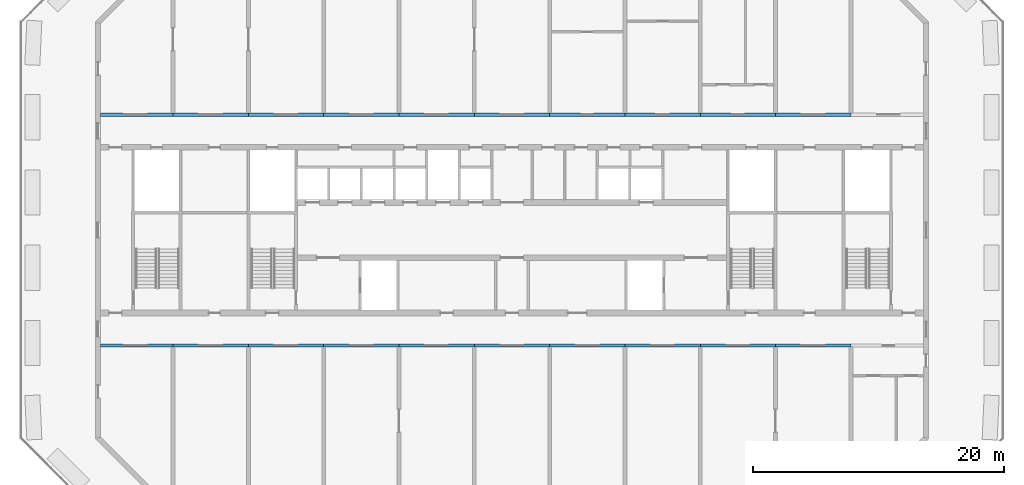
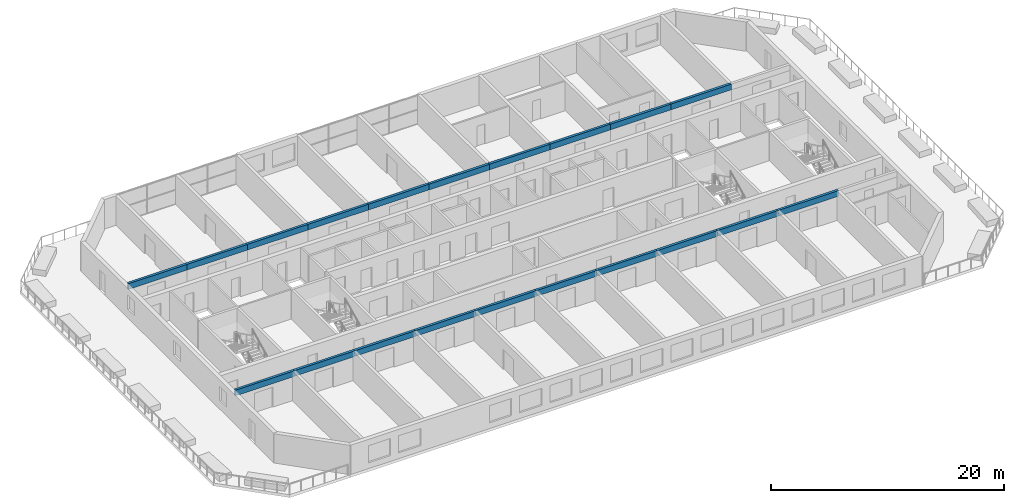
# One storey, part 1 of 14: 20 beams.
"""IFC4 building model written with IfcOpenShell, lengths in metres."""

from ifc_helpers import new_model, si_unit, direction, frame, origin, origin_2d, place, context, subcontext, project, spatial, rectangle, extrude, source, transform, mapped, material, material_profile, profile_set, type_object, element, save


model = new_model("IFC4")

# Units and contexts
model_context = context("Model", 3, precision=1e-05, world=origin(), true_north=direction((0.0, 1.0)))
body_context = subcontext(model_context, "Body", "Model", "MODEL_VIEW")
ifc_project = project(units=[si_unit("LENGTHUNIT", "METRE"), si_unit("AREAUNIT", "SQUARE_METRE"), si_unit("VOLUMEUNIT", "CUBIC_METRE"), si_unit("PLANEANGLEUNIT", "RADIAN"), si_unit("MASSUNIT", "GRAM", prefix="KILO")], contexts=[model_context])

# Site, building, storey
site_placement = place(None, origin())
site = spatial("IfcSite", under=ifc_project, at=site_placement, CompositionType="ELEMENT")
building_placement = place(site_placement, origin())
building = spatial("IfcBuilding", under=site, at=building_placement, Name="Poui Terraces", CompositionType="ELEMENT")
storey_placement = place(building_placement, frame((0.0, 0.0, 158.699951171875)))
storey = spatial("IfcBuildingStorey", under=building, at=storey_placement, Name="L44", CompositionType="ELEMENT", Elevation=158.699951171875)

# Beams
ifc_material = material(Name="Concrete 65 MPa", Category="concrete")
ifc_material_profile = material_profile(ifc_material, rectangle(XDim=0.25, YDim=0.60009765625, at=origin_2d()), Name="RC 250x600")
ifc_profile_set = profile_set([ifc_material_profile], Name="Concrete 65 MPa")
beam_type = type_object("IfcBeamType", Name="COUPLING BEAM 250x600 65MPa", PredefinedType="BEAM", material=ifc_profile_set)
shared_shape_1 = source(origin(), body_context, "Body", "SweptSolid", [
    extrude(rectangle(XDim=0.25, YDim=0.60009765625, at=origin_2d()), origin(), (0.0, 0.0, 1.0), 5.800048828125),
])
for number, where, z_axis, x_axis, name in (
    (1, (18.199951171875, 12.0, 2.77001953125), (1.0, 0.0, 0.0), (0.0, 1.0, 0.0), "COUPLING BEAM LINE B BAY 1"),
    (2, (18.199951171875, 30.39990234375, 2.77001953125), (1.0, 0.0, 0.0), (0.0, 1.0, 0.0), "COUPLING BEAM LINE E BAY 1"),
):
    element("IfcBeam", number, at=place(storey_placement, frame(where, z_axis=z_axis, x_axis=x_axis)), inside=storey, type_object=beam_type, Name=name, PredefinedType="BEAM", context=body_context, shape_type="MappedRepresentation", body=[
        mapped(shared_shape_1, transform((0.0, 0.0, 0.0))),
    ])
shared_shape_2 = source(origin(), body_context, "Body", "SweptSolid", [
    extrude(rectangle(XDim=0.25, YDim=0.60009765625, at=origin_2d()), origin(), (0.0, 0.0, 1.0), 6.0),
])
for number, where, z_axis, x_axis, name in (
    (3, (24.0, 12.0, 2.77001953125), (1.0, 0.0, 0.0), (0.0, 1.0, 0.0), "COUPLING BEAM LINE B BAY 2"),
    (4, (30.0, 12.0, 2.77001953125), (1.0, 0.0, 0.0), (0.0, 1.0, 0.0), "COUPLING BEAM LINE B BAY 3"),
    (5, (36.0, 12.0, 2.77001953125), (1.0, 0.0, 0.0), (0.0, 1.0, 0.0), "COUPLING BEAM LINE B BAY 4"),
    (6, (42.0, 12.0, 2.77001953125), (1.0, 0.0, 0.0), (0.0, 1.0, 0.0), "COUPLING BEAM LINE B BAY 5"),
    (7, (48.0, 12.0, 2.77001953125), (1.0, 0.0, 0.0), (0.0, 1.0, 0.0), "COUPLING BEAM LINE B BAY 6"),
    (8, (54.0, 12.0, 2.77001953125), (1.0, 0.0, 0.0), (0.0, 1.0, 0.0), "COUPLING BEAM LINE B BAY 7"),
    (9, (60.0, 12.0, 2.77001953125), (1.0, 0.0, 0.0), (0.0, 1.0, 0.0), "COUPLING BEAM LINE B BAY 8"),
    (10, (66.0, 12.0, 2.77001953125), (1.0, 0.0, 0.0), (0.0, 1.0, 0.0), "COUPLING BEAM LINE B BAY 9"),
    (11, (72.0, 12.0, 2.77001953125), (1.0, 0.0, 0.0), (0.0, 1.0, 0.0), "COUPLING BEAM LINE B BAY 10"),
    (12, (24.0, 30.39990234375, 2.77001953125), (1.0, 0.0, 0.0), (0.0, 1.0, 0.0), "COUPLING BEAM LINE E BAY 2"),
    (13, (30.0, 30.39990234375, 2.77001953125), (1.0, 0.0, 0.0), (0.0, 1.0, 0.0), "COUPLING BEAM LINE E BAY 3"),
    (14, (36.0, 30.39990234375, 2.77001953125), (1.0, 0.0, 0.0), (0.0, 1.0, 0.0), "COUPLING BEAM LINE E BAY 4"),
    (15, (42.0, 30.39990234375, 2.77001953125), (1.0, 0.0, 0.0), (0.0, 1.0, 0.0), "COUPLING BEAM LINE E BAY 5"),
    (16, (48.0, 30.39990234375, 2.77001953125), (1.0, 0.0, 0.0), (0.0, 1.0, 0.0), "COUPLING BEAM LINE E BAY 6"),
    (17, (54.0, 30.39990234375, 2.77001953125), (1.0, 0.0, 0.0), (0.0, 1.0, 0.0), "COUPLING BEAM LINE E BAY 7"),
    (18, (60.0, 30.39990234375, 2.77001953125), (1.0, 0.0, 0.0), (0.0, 1.0, 0.0), "COUPLING BEAM LINE E BAY 8"),
    (19, (66.0, 30.39990234375, 2.77001953125), (1.0, 0.0, 0.0), (0.0, 1.0, 0.0), "COUPLING BEAM LINE E BAY 9"),
    (20, (72.0, 30.39990234375, 2.77001953125), (1.0, 0.0, 0.0), (0.0, 1.0, 0.0), "COUPLING BEAM LINE E BAY 10"),
):
    element("IfcBeam", number, at=place(storey_placement, frame(where, z_axis=z_axis, x_axis=x_axis)), inside=storey, type_object=beam_type, Name=name, PredefinedType="BEAM", context=body_context, shape_type="MappedRepresentation", body=[
        mapped(shared_shape_2, transform((0.0, 0.0, 0.0))),
    ])

save(model, "model.ifc")
